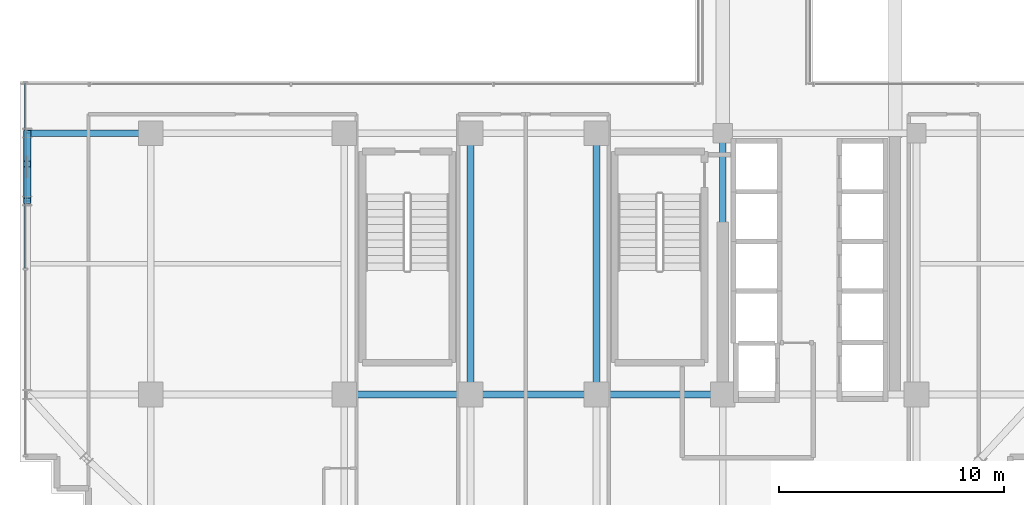
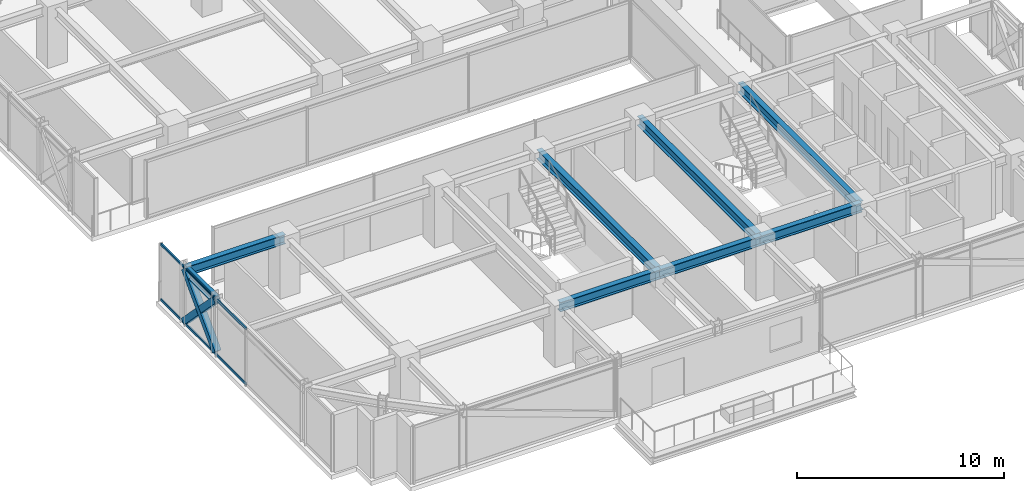
# One storey, part 6 of 38: 8 beams, 5 members, 1 element without a shape of its own.
"""IFC4 building model written with IfcOpenShell, lengths in metres."""

from ifc_helpers import new_model, si_unit, direction, frame, origin, origin_2d, place, context, subcontext, project, spatial, hollow_rectangle, i_section, extrude, source, transform, mapped, material, material_profile, profile_set, type_object, element, aggregate, save


model = new_model("IFC4")

# Units and contexts
model_context = context("Model", 3, precision=1e-05, world=origin(), true_north=direction((0.0, 1.0)))
body_context = subcontext(model_context, "Body", "Model", "MODEL_VIEW")
ifc_project = project(units=[si_unit("LENGTHUNIT", "METRE"), si_unit("AREAUNIT", "SQUARE_METRE"), si_unit("VOLUMEUNIT", "CUBIC_METRE"), si_unit("PLANEANGLEUNIT", "RADIAN"), si_unit("MASSUNIT", "GRAM", prefix="KILO")], contexts=[model_context])

# Site, building, storey
site_placement = place(None, origin())
site = spatial("IfcSite", under=ifc_project, at=site_placement, CompositionType="ELEMENT")
building_placement = place(site_placement, origin())
building = spatial("IfcBuilding", under=site, at=building_placement, Name="Nahalor Promenade Grand Hotel", CompositionType="ELEMENT")
storey_placement = place(building_placement, frame((0.0, 0.0, 163.60009765625)))
storey = spatial("IfcBuildingStorey", under=building, at=storey_placement, Name="L41", CompositionType="ELEMENT", Elevation=163.60009765625)

# Beams
ifc_material_1 = material(Name="Steel S355JR", Category="steel")
ifc_material_profile_1 = material_profile(ifc_material_1, i_section(OverallWidth=0.3, OverallDepth=0.55, WebThickness=0.015, FlangeThickness=0.029, at=origin_2d()), Name="HEB 550")
ifc_profile_set_1 = profile_set([ifc_material_profile_1], Name="Steel S355JR")
beam_type_1 = type_object("IfcBeamType", Name="Beam-Girder-HEB550", PredefinedType="BEAM", material=ifc_profile_set_1)
shared_shape_1 = source(origin(), body_context, "Body", "SweptSolid", [
    extrude(i_section(OverallWidth=0.3, OverallDepth=0.55, WebThickness=0.015, FlangeThickness=0.029, at=origin_2d()), origin(), (0.0, 0.0, 1.0), 5.599853515625),
])
for number, where, z_axis, x_axis, name in (
    (1, (-8.39990234375, -17.0, 3.114990234375), (1.0, 0.0, 0.0), (0.0, 1.0, 0.0), "BM-L41-GX-0-2"),
    (2, (2.800048828125, -17.0, 3.114990234375), (1.0, 0.0, 0.0), (0.0, 1.0, 0.0), "BM-L41-GX-0-4"),
):
    element("IfcBeam", number, at=place(storey_placement, frame(where, z_axis=z_axis, x_axis=x_axis)), inside=storey, type_object=beam_type_1, Name=name, PredefinedType="BEAM", context=body_context, shape_type="MappedRepresentation", body=[
        mapped(shared_shape_1, transform((0.0, 0.0, 0.0), scale=1.0)),
    ])
shared_shape_2 = source(origin(), body_context, "Body", "SweptSolid", [
    extrude(i_section(OverallWidth=0.3, OverallDepth=0.55, WebThickness=0.015, FlangeThickness=0.029, at=origin_2d()), origin(), (0.0, 0.0, 1.0), 5.60009765625),
])
beam_1_placement = place(storey_placement, frame((-2.800048828125, -17.0, 3.114990234375), z_axis=(1.0, 0.0, 0.0), x_axis=(0.0, 1.0, 0.0)))
element("IfcBeam", 3, at=beam_1_placement, inside=storey, type_object=beam_type_1, Name="BM-L41-GX-0-3", PredefinedType="BEAM", context=body_context, shape_type="MappedRepresentation", body=[
    mapped(shared_shape_2, transform((0.0, 0.0, 0.0), scale=1.0)),
])
shared_shape_3 = source(origin(), body_context, "Body", "SweptSolid", [
    extrude(i_section(OverallWidth=0.3, OverallDepth=0.55, WebThickness=0.015, FlangeThickness=0.029, at=origin_2d()), origin(), (0.0, 0.0, 1.0), 11.60009765625),
])
for number, where, z_axis, x_axis, name in (
    (4, (-2.800048828125, -17.0, 3.114990234375), (0.0, 1.0, 0.0), (-1.0, 0.0, 0.0), "BM-L41-GY-2-1"),
    (5, (2.800048828125, -17.0, 3.114990234375), (0.0, 1.0, 0.0), (-1.0, 0.0, 0.0), "BM-L41-GY-3-1"),
    (6, (8.39990234375, -17.0, 3.114990234375), (0.0, 1.0, 0.0), (-1.0, 0.0, 0.0), "BM-L41-GY-4-1"),
):
    element("IfcBeam", number, at=place(storey_placement, frame(where, z_axis=z_axis, x_axis=x_axis)), inside=storey, type_object=beam_type_1, Name=name, PredefinedType="BEAM", context=body_context, shape_type="MappedRepresentation", body=[
        mapped(shared_shape_3, transform((0.0, 0.0, 0.0), scale=1.0)),
    ])
shared_shape_4 = source(origin(), body_context, "Body", "SweptSolid", [
    extrude(i_section(OverallWidth=0.3, OverallDepth=0.55, WebThickness=0.015, FlangeThickness=0.029, at=origin_2d()), origin(), (0.0, 0.0, 1.0), 5.47998046875),
])
beam_2_placement = place(storey_placement, frame((-22.47998046875, -5.39990234375, 3.114990234375), z_axis=(1.0, 0.0, 0.0), x_axis=(0.0, 1.0, 0.0)))
element("IfcBeam", 7, at=beam_2_placement, inside=storey, type_object=beam_type_1, Name="BM-L41-GX-1-0", PredefinedType="BEAM", context=body_context, shape_type="MappedRepresentation", body=[
    mapped(shared_shape_4, transform((0.0, 0.0, 0.0), scale=1.0)),
])
ifc_material_profile_2 = material_profile(ifc_material_1, i_section(OverallWidth=0.3, OverallDepth=0.45, WebThickness=0.014, FlangeThickness=0.026, at=origin_2d()), Name="HEB 450")
ifc_profile_set_2 = profile_set([ifc_material_profile_2], Name="Steel S355JR")
beam_type_2 = type_object("IfcBeamType", Name="Beam-Spandrel-HEB450", PredefinedType="SPANDREL", material=ifc_profile_set_2)
shared_shape_5 = source(origin(), body_context, "Body", "SweptSolid", [
    extrude(i_section(OverallWidth=0.3, OverallDepth=0.45, WebThickness=0.014, FlangeThickness=0.026, at=origin_2d()), origin(), (0.0, 0.0, 1.0), 3.0),
])
beam_3_placement = place(storey_placement, frame((-22.47998046875, -8.39990234375, 3.164794921875), z_axis=(0.0, 1.0, 0.0), x_axis=(-1.0, 0.0, 0.0)))
element("IfcBeam", 8, at=beam_3_placement, inside=storey, type_object=beam_type_2, Name="BM-L41-SP-W-1", PredefinedType="SPANDREL", context=body_context, shape_type="MappedRepresentation", body=[
    mapped(shared_shape_5, transform((0.0, 0.0, 0.0), scale=1.0)),
])

# Members
ifc_material_profile_3 = material_profile(ifc_material_1, hollow_rectangle(XDim=0.35, YDim=0.35, WallThickness=0.02, at=origin_2d()), Name="SHS 350x350x20")
ifc_profile_set_3 = profile_set([ifc_material_profile_3], Name="Steel S355JR")
member_type_1 = type_object("IfcMemberType", Name="Mem-VoidBrace-SHS350", PredefinedType="BRACE", material=ifc_profile_set_3)
shared_shape_6 = source(origin(), body_context, "Body", "SweptSolid", [
    extrude(hollow_rectangle(XDim=0.35, YDim=0.35, WallThickness=0.02, at=origin_2d()), origin(), (0.0, 0.0, 1.0), 1.96630859375),
])
member_1_placement = place(storey_placement, frame((-22.47998046875, -7.0302734375, 1.8291015625), z_axis=(0.0, -0.696537426897, 0.717520461682), x_axis=(1.0, 0.0, 0.0)))
element("IfcMember", 9, at=member_1_placement, inside=storey, type_object=member_type_1, Name="EXO-L41-VX2-W0B", PredefinedType="BRACE", context=body_context, shape_type="MappedRepresentation", body=[
    mapped(shared_shape_6, transform((0.0, 0.0, 0.0), scale=1.0)),
])
shared_shape_7 = source(origin(), body_context, "Body", "SweptSolid", [
    extrude(hollow_rectangle(XDim=0.35, YDim=0.35, WallThickness=0.02, at=origin_2d()), origin(), (0.0, 0.0, 1.0), 4.306884765625),
])
member_2_placement = place(storey_placement, frame((-22.47998046875, -8.39990234375, 0.14990234375), z_axis=(0.0, 0.696570665899, 0.717488193219), x_axis=(-1.0, 0.0, 0.0)))
element("IfcMember", 10, at=member_2_placement, inside=storey, type_object=member_type_1, Name="EXO-L41-VX1-W0", PredefinedType="BRACE", context=body_context, shape_type="MappedRepresentation", body=[
    mapped(shared_shape_7, transform((0.0, 0.0, 0.0), scale=1.0)),
])
shared_shape_8 = source(origin(), body_context, "Body", "SweptSolid", [
    extrude(hollow_rectangle(XDim=0.35, YDim=0.35, WallThickness=0.02, at=origin_2d()), origin(), (0.0, 0.0, 1.0), 1.966552734375),
])
member_3_placement = place(storey_placement, frame((-22.47998046875, -5.39990234375, 0.14990234375), z_axis=(0.0, -0.696601340579, 0.71745841155), x_axis=(1.0, 0.0, 0.0)))
element("IfcMember", 11, at=member_3_placement, inside=storey, type_object=member_type_1, Name="EXO-L41-VX2-W0A", PredefinedType="BRACE", context=body_context, shape_type="MappedRepresentation", body=[
    mapped(shared_shape_8, transform((0.0, 0.0, 0.0), scale=1.0)),
])

# Curtain wall, members
ifc_material_2 = material(Name="Anodised Bronze Aluminium EN AW-6063 T6", Category="aluminium")
curtain_wall_type = type_object("IfcCurtainWallType", Name="CW3 Elliptical-Void Collar Unitised Curtain Wall", PredefinedType="USERDEFINED", material=ifc_material_2)
curtain_wall_placement = place(storey_placement, origin())
curtain_wall = element("IfcCurtainWall", 12, at=curtain_wall_placement, inside=storey, type_object=curtain_wall_type, Name="L41 Curtain Wall CW-L41-W-1", ObjectType="UNITISED_CURTAIN_WALL", PredefinedType="USERDEFINED")
ifc_material_profile_4 = material_profile(ifc_material_2, hollow_rectangle(XDim=0.07, YDim=0.14, WallThickness=0.004, at=origin_2d()), Name="CWT 70x140x4")
ifc_profile_set_4 = profile_set([ifc_material_profile_4], Name="Anodised Bronze Aluminium EN AW-6063 T6")
member_type_2 = type_object("IfcMemberType", Name="CWT3 Void Collar Transom 70x140", PredefinedType="USERDEFINED", material=ifc_profile_set_4)
shared_shape_9 = source(origin(), body_context, "Body", "SweptSolid", [
    extrude(hollow_rectangle(XDim=0.07, YDim=0.14, WallThickness=0.004, at=origin_2d()), origin(), (0.0, 0.0, 1.0), 8.22509765625),
])
member_4_placement = place(storey_placement, frame((-22.56005859375, -11.39501953125, 0.06982421875), z_axis=(0.0, 1.0, 0.0), x_axis=(-1.0, 0.0, 0.0)))
member_4 = element("IfcMember", 13, at=member_4_placement, type_object=member_type_2, Name="CW-L41-W-1 Transom 1-0", ObjectType="TRANSOM", PredefinedType="USERDEFINED", context=body_context, shape_type="MappedRepresentation", body=[
    mapped(shared_shape_9, transform((0.0, 0.0, 0.0), scale=1.0)),
])
member_5_placement = place(storey_placement, frame((-22.56005859375, -11.39501953125, 3.31982421875), z_axis=(0.0, 1.0, 0.0), x_axis=(-1.0, 0.0, 0.0)))
member_5 = element("IfcMember", 14, at=member_5_placement, type_object=member_type_2, Name="CW-L41-W-1 Transom 1-1", ObjectType="TRANSOM", PredefinedType="USERDEFINED", context=body_context, shape_type="MappedRepresentation", body=[
    mapped(shared_shape_9, transform((0.0, 0.0, 0.0), scale=1.0)),
])
aggregate(curtain_wall, [member_4, member_5])

save(model, "model.ifc")
